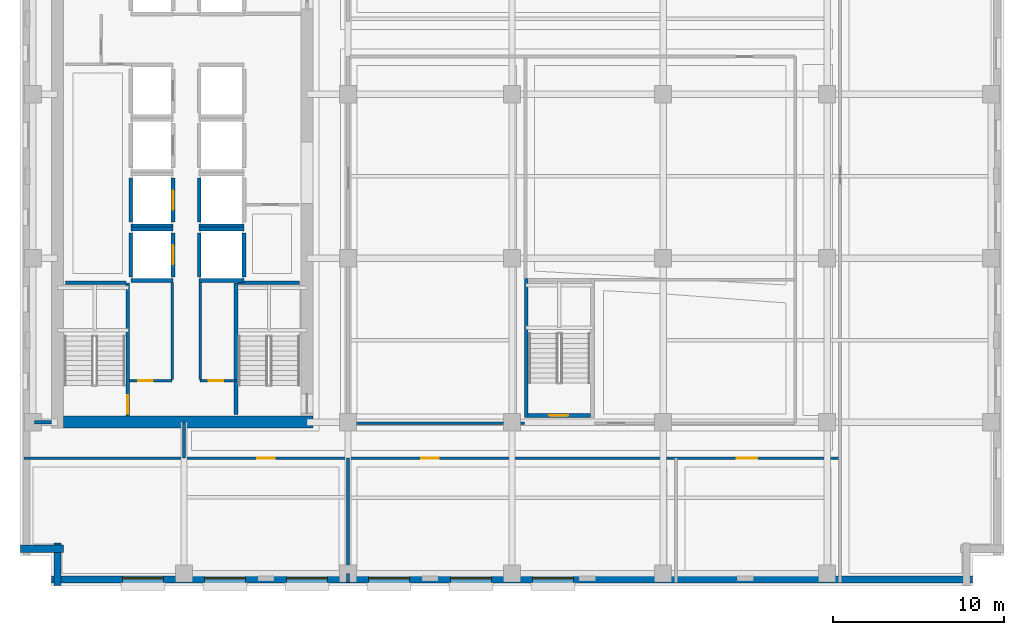
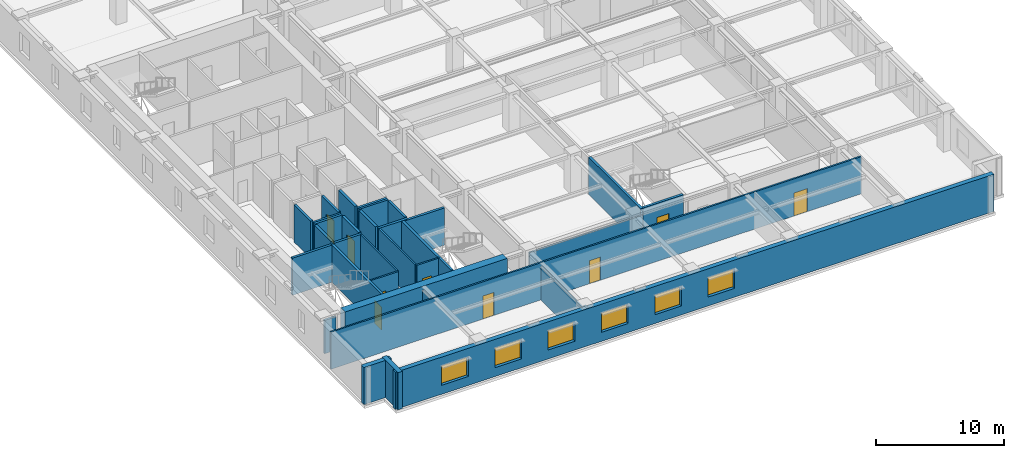
# One storey, part 3 of 12: 33 walls, 9 doors, 6 windows, 15 openings.
"""IFC4 building model written with IfcOpenShell, lengths in metres."""

from ifc_helpers import new_model, si_unit, direction, frame, frame_2d, origin, place, context, subcontext, project, spatial, rectangle, extrude, material, layer, layer_set, type_object, element, fill, save


model = new_model("IFC4")

# Units and contexts
model_context = context("Model", 3, precision=1e-05, world=origin(), true_north=direction((0.0, 1.0)))
body_context = subcontext(model_context, "Body", "Model", "MODEL_VIEW")
ifc_project = project(units=[si_unit("LENGTHUNIT", "METRE"), si_unit("AREAUNIT", "SQUARE_METRE"), si_unit("VOLUMEUNIT", "CUBIC_METRE"), si_unit("PLANEANGLEUNIT", "RADIAN"), si_unit("MASSUNIT", "GRAM", prefix="KILO")], contexts=[model_context])

# Site, building, storey
site_placement = place(None, origin())
site = spatial("IfcSite", under=ifc_project, at=site_placement, CompositionType="ELEMENT")
building_placement = place(site_placement, origin())
building = spatial("IfcBuilding", under=site, at=building_placement, Name="Norrvale University Quadrangle", CompositionType="ELEMENT")
storey_placement = place(building_placement, frame((0.0, 0.0, 105.199951171875)))
storey = spatial("IfcBuildingStorey", under=building, at=storey_placement, Name="L26", CompositionType="ELEMENT", Elevation=105.199951171875)

# Wall, openings, windows
ifc_material_1 = material(Name="Buff Norman Clay Brick Masonry", Category="masonry")
ifc_layer_1 = layer(ifc_material_1, 0.419921875, Name="Buff Norman Clay Brick Masonry")
ifc_layer_set_1 = layer_set([ifc_layer_1], Name="Buff Norman Clay Brick Masonry")
wall_type_1 = type_object("IfcWallType", Name="Wall Buff Brick 420", PredefinedType="SOLIDWALL", material=ifc_layer_set_1)
wall_1_placement = place(storey_placement, frame((1.840087890625, 0.389892578125, 0.0), z_axis=(0.0, 0.0, 1.0), x_axis=(1.0, 0.0, 0.0)))
wall_1 = element("IfcWall", 1, at=wall_1_placement, inside=storey, type_object=wall_type_1, Name="Exterior Brick Facade Wall L26-01.1", PredefinedType="SOLIDWALL", context=body_context, shape_type="SweptSolid", body=[
    extrude(rectangle(XDim=53.919921875, YDim=0.419921875, at=frame_2d((26.9599609375, 0.0))), origin(), (0.0, 0.0, 1.0), 3.5400390625),
])
opening_1_placement = place(wall_1_placement, frame((4.159912109375, 0.0, 0.85009765625)))
opening_1 = element("IfcOpeningElement", 2, at=opening_1_placement, cuts=wall_1, Name="Opening W02", PredefinedType="OPENING", context=body_context, shape_type="SweptSolid", body=[
    extrude(rectangle(XDim=2.39990234375, YDim=1.85009765625, at=frame_2d((1.199951171875, 0.925048828125))), frame((0.0, 0.221923828125, 0.0), z_axis=(0.0, -1.0, 0.0), x_axis=(1.0, 0.0, 0.0)), (0.0, 0.0, 1.0), 0.44384765625),
])
opening_2_placement = place(wall_1_placement, frame((8.9599609375, 0.0, 0.85009765625)))
opening_2 = element("IfcOpeningElement", 3, at=opening_2_placement, cuts=wall_1, Name="Opening W02", PredefinedType="OPENING", context=body_context, shape_type="SweptSolid", body=[
    extrude(rectangle(XDim=2.39990234375, YDim=1.85009765625, at=frame_2d((1.199951171875, 0.925048828125))), frame((0.0, 0.221923828125, 0.0), z_axis=(0.0, -1.0, 0.0), x_axis=(1.0, 0.0, 0.0)), (0.0, 0.0, 1.0), 0.44384765625),
])
opening_3_placement = place(wall_1_placement, frame((13.760009765625, 0.0, 0.85009765625)))
opening_3 = element("IfcOpeningElement", 4, at=opening_3_placement, cuts=wall_1, Name="Opening W02", PredefinedType="OPENING", context=body_context, shape_type="SweptSolid", body=[
    extrude(rectangle(XDim=2.39990234375, YDim=1.85009765625, at=frame_2d((1.199951171875, 0.925048828125))), frame((0.0, 0.221923828125, 0.0), z_axis=(0.0, -1.0, 0.0), x_axis=(1.0, 0.0, 0.0)), (0.0, 0.0, 1.0), 0.44384765625),
])
opening_4_placement = place(wall_1_placement, frame((18.56005859375, 0.0, 0.85009765625)))
opening_4 = element("IfcOpeningElement", 5, at=opening_4_placement, cuts=wall_1, Name="Opening W02", PredefinedType="OPENING", context=body_context, shape_type="SweptSolid", body=[
    extrude(rectangle(XDim=2.39990234375, YDim=1.85009765625, at=frame_2d((1.199951171875, 0.925048828125))), frame((0.0, 0.221923828125, 0.0), z_axis=(0.0, -1.0, 0.0), x_axis=(1.0, 0.0, 0.0)), (0.0, 0.0, 1.0), 0.44384765625),
])
opening_5_placement = place(wall_1_placement, frame((23.360107421875, 0.0, 0.85009765625)))
opening_5 = element("IfcOpeningElement", 6, at=opening_5_placement, cuts=wall_1, Name="Opening W02", PredefinedType="OPENING", context=body_context, shape_type="SweptSolid", body=[
    extrude(rectangle(XDim=2.39990234375, YDim=1.85009765625, at=frame_2d((1.199951171875, 0.925048828125))), frame((0.0, 0.221923828125, 0.0), z_axis=(0.0, -1.0, 0.0), x_axis=(1.0, 0.0, 0.0)), (0.0, 0.0, 1.0), 0.44384765625),
])
opening_6_placement = place(wall_1_placement, frame((28.159912109375, 0.0, 0.85009765625)))
opening_6 = element("IfcOpeningElement", 7, at=opening_6_placement, cuts=wall_1, Name="Opening W02", PredefinedType="OPENING", context=body_context, shape_type="SweptSolid", body=[
    extrude(rectangle(XDim=2.39990234375, YDim=1.85009765625, at=frame_2d((1.199951171875, 0.925048828125))), frame((0.0, 0.221923828125, 0.0), z_axis=(0.0, -1.0, 0.0), x_axis=(1.0, 0.0, 0.0)), (0.0, 0.0, 1.0), 0.44384765625),
])
ifc_material_2 = material(Name="Triple Low-E Argon Glazing", Category="glass")
window_type = type_object("IfcWindowType", Name="Window Academic 2400x2300", PartitioningType="TRIPLE_PANEL_VERTICAL", PredefinedType="WINDOW", material=ifc_material_2)
window_1_placement = place(opening_1_placement, origin())
window_1 = element("IfcWindow", 8, at=window_1_placement, inside=storey, type_object=window_type, Name="Window Academic 2400x2300 WIN-L26-E01-1-01", OverallHeight=1.85009765625, OverallWidth=2.39990234375, PartitioningType="TRIPLE_PANEL_VERTICAL", PredefinedType="WINDOW", context=body_context, shape_type="SweptSolid", body=[
    extrude(rectangle(XDim=2.39990234375, YDim=1.85009765625, at=frame_2d((1.199951171875, 0.925048828125))), frame((0.0, 0.110107421875, 0.0), z_axis=(0.0, -1.0, 0.0), x_axis=(1.0, 0.0, 0.0)), (0.0, 0.0, 1.0), 0.06005859375),
])
fill(opening_1, window_1)
window_2_placement = place(opening_2_placement, origin())
window_2 = element("IfcWindow", 9, at=window_2_placement, inside=storey, type_object=window_type, Name="Window Academic 2400x2300 WIN-L26-E01-1-02", OverallHeight=1.85009765625, OverallWidth=2.39990234375, PartitioningType="TRIPLE_PANEL_VERTICAL", PredefinedType="WINDOW", context=body_context, shape_type="SweptSolid", body=[
    extrude(rectangle(XDim=2.39990234375, YDim=1.85009765625, at=frame_2d((1.199951171875, 0.925048828125))), frame((0.0, 0.110107421875, 0.0), z_axis=(0.0, -1.0, 0.0), x_axis=(1.0, 0.0, 0.0)), (0.0, 0.0, 1.0), 0.06005859375),
])
fill(opening_2, window_2)
window_3_placement = place(opening_3_placement, origin())
window_3 = element("IfcWindow", 10, at=window_3_placement, inside=storey, type_object=window_type, Name="Window Academic 2400x2300 WIN-L26-E01-1-03", OverallHeight=1.85009765625, OverallWidth=2.39990234375, PartitioningType="TRIPLE_PANEL_VERTICAL", PredefinedType="WINDOW", context=body_context, shape_type="SweptSolid", body=[
    extrude(rectangle(XDim=2.39990234375, YDim=1.85009765625, at=frame_2d((1.199951171875, 0.925048828125))), frame((0.0, 0.110107421875, 0.0), z_axis=(0.0, -1.0, 0.0), x_axis=(1.0, 0.0, 0.0)), (0.0, 0.0, 1.0), 0.06005859375),
])
fill(opening_3, window_3)
window_4_placement = place(opening_4_placement, origin())
window_4 = element("IfcWindow", 11, at=window_4_placement, inside=storey, type_object=window_type, Name="Window Academic 2400x2300 WIN-L26-E01-1-04", OverallHeight=1.85009765625, OverallWidth=2.39990234375, PartitioningType="TRIPLE_PANEL_VERTICAL", PredefinedType="WINDOW", context=body_context, shape_type="SweptSolid", body=[
    extrude(rectangle(XDim=2.39990234375, YDim=1.85009765625, at=frame_2d((1.199951171875, 0.925048828125))), frame((0.0, 0.110107421875, 0.0), z_axis=(0.0, -1.0, 0.0), x_axis=(1.0, 0.0, 0.0)), (0.0, 0.0, 1.0), 0.06005859375),
])
fill(opening_4, window_4)
window_5_placement = place(opening_5_placement, origin())
window_5 = element("IfcWindow", 12, at=window_5_placement, inside=storey, type_object=window_type, Name="Window Academic 2400x2300 WIN-L26-E01-1-05", OverallHeight=1.85009765625, OverallWidth=2.39990234375, PartitioningType="TRIPLE_PANEL_VERTICAL", PredefinedType="WINDOW", context=body_context, shape_type="SweptSolid", body=[
    extrude(rectangle(XDim=2.39990234375, YDim=1.85009765625, at=frame_2d((1.199951171875, 0.925048828125))), frame((0.0, 0.110107421875, 0.0), z_axis=(0.0, -1.0, 0.0), x_axis=(1.0, 0.0, 0.0)), (0.0, 0.0, 1.0), 0.06005859375),
])
fill(opening_5, window_5)
window_6_placement = place(opening_6_placement, origin())
window_6 = element("IfcWindow", 13, at=window_6_placement, inside=storey, type_object=window_type, Name="Window Academic 2400x2300 WIN-L26-E01-1-06", OverallHeight=1.85009765625, OverallWidth=2.39990234375, PartitioningType="TRIPLE_PANEL_VERTICAL", PredefinedType="WINDOW", context=body_context, shape_type="SweptSolid", body=[
    extrude(rectangle(XDim=2.39990234375, YDim=1.85009765625, at=frame_2d((1.199951171875, 0.925048828125))), frame((0.0, 0.110107421875, 0.0), z_axis=(0.0, -1.0, 0.0), x_axis=(1.0, 0.0, 0.0)), (0.0, 0.0, 1.0), 0.06005859375),
])
fill(opening_6, window_6)

# Walls
for number, where, z_axis, x_axis, name in (
    (14, (0.0400390625, 2.18994140625, 0.0), (0.0, 0.0, 1.0), (1.0, 0.0, 0.0), "Exterior Brick Facade Wall L26-15.1"),
    (15, (2.18994140625, 2.5400390625, 0.0), (0.0, 0.0, 1.0), (0.0, -1.0, 0.0), "Exterior Brick Facade Wall L26-16.1"),
):
    element("IfcWall", number, at=place(storey_placement, frame(where, z_axis=z_axis, x_axis=x_axis)), inside=storey, type_object=wall_type_1, Name=name, PredefinedType="SOLIDWALL", context=body_context, shape_type="SweptSolid", body=[
        extrude(rectangle(XDim=2.5, YDim=0.419921875, at=frame_2d((1.25, 0.0))), origin(), (0.0, 0.0, 1.0), 3.5400390625),
    ])
ifc_material_3 = material(Name="Concrete C60/75", Category="concrete")
ifc_layer_2 = layer(ifc_material_3, 0.699951171875, Name="Concrete C60/75")
ifc_layer_set_2 = layer_set([ifc_layer_2], Name="Concrete C60/75")
wall_type_2 = type_object("IfcWallType", Name="Wall Core 700", PredefinedType="SHEAR", material=ifc_layer_set_2)
wall_2_placement = place(storey_placement, frame((2.550048828125, 9.60009765625, 0.0), z_axis=(0.0, 0.0, 1.0), x_axis=(1.0, 0.0, 0.0)))
element("IfcWall", 16, at=wall_2_placement, inside=storey, type_object=wall_type_2, Name="Tower Core Shear Wall L26-S", PredefinedType="SHEAR", context=body_context, shape_type="SweptSolid", body=[
    extrude(rectangle(XDim=14.599853515625, YDim=0.699951171875, at=frame_2d((7.2998046875, 0.0))), origin(), (0.0, 0.0, 1.0), 3.5400390625),
])

# Wall, opening, door
ifc_material_4 = material(Name="Fire-Rated Gypsum Stud Partition")
ifc_layer_3 = layer(ifc_material_4, 0.14990234375, Name="Fire-Rated Gypsum Stud Partition")
ifc_layer_set_3 = layer_set([ifc_layer_3], Name="Fire-Rated Gypsum Stud Partition")
wall_type_3 = type_object("IfcWallType", Name="Wall Gypsum Corridor 150", PredefinedType="PARTITIONING", material=ifc_layer_set_3)
wall_3_placement = place(storey_placement, frame((6.419921875, 12.02001953125, 0.0), z_axis=(0.0, 0.0, 1.0), x_axis=(1.0, 0.0, 0.0)))
wall_3 = element("IfcWall", 17, at=wall_3_placement, inside=storey, type_object=wall_type_3, Name="Interior Partition WL-L26-SC-NL", PredefinedType="PARTITIONING", context=body_context, shape_type="SweptSolid", body=[
    extrude(rectangle(XDim=2.47998046875, YDim=0.14990234375, at=frame_2d((1.239990234375, 0.0))), origin(), (0.0, 0.0, 1.0), 3.5400390625),
])
opening_7_placement = place(wall_3_placement, frame((0.5, 0.0, 0.0)))
opening_7 = element("IfcOpeningElement", 18, at=opening_7_placement, cuts=wall_3, Name="Opening D10", PredefinedType="OPENING", context=body_context, shape_type="SweptSolid", body=[
    extrude(rectangle(XDim=0.85009765625, YDim=2.10009765625, at=frame_2d((0.425048828125, 1.050048828125))), frame((0.0, 0.0869140625, 0.0), z_axis=(0.0, -1.0, 0.0), x_axis=(1.0, 0.0, 0.0)), (0.0, 0.0, 1.0), 0.173828125),
])
ifc_material_5 = material(Name="Hollow Steel 350W Riser Fire Door", Category="steel")
door_type_1 = type_object("IfcDoorType", Name="Door Riser 850x2100", OperationType="NOTDEFINED", PredefinedType="DOOR", material=ifc_material_5)
door_1_placement = place(opening_7_placement, origin())
door_1 = element("IfcDoor", 19, at=door_1_placement, inside=storey, type_object=door_type_1, Name="Door Riser 850x2100 DR-L26-ELEC", OperationType="SINGLE_SWING_LEFT", OverallHeight=2.10009765625, OverallWidth=0.85009765625, PredefinedType="DOOR", context=body_context, shape_type="SweptSolid", body=[
    extrude(rectangle(XDim=0.85009765625, YDim=2.10009765625, at=frame_2d((0.425048828125, 1.050048828125))), frame((0.0, 0.02490234375, 0.0), z_axis=(0.0, -1.0, 0.0), x_axis=(1.0, 0.0, 0.0)), (0.0, 0.0, 1.0), 0.050048828125),
])
fill(opening_7, door_1)

wall_4_placement = place(storey_placement, frame((10.550048828125, 12.02001953125, 0.0), z_axis=(0.0, 0.0, 1.0), x_axis=(1.0, 0.0, 0.0)))
wall_4 = element("IfcWall", 20, at=wall_4_placement, inside=storey, type_object=wall_type_3, Name="Interior Partition WL-L26-SC-NR", PredefinedType="PARTITIONING", context=body_context, shape_type="SweptSolid", body=[
    extrude(rectangle(XDim=2.079833984375, YDim=0.14990234375, at=frame_2d((1.0400390625, 0.0))), origin(), (0.0, 0.0, 1.0), 3.5400390625),
])
opening_8_placement = place(wall_4_placement, frame((0.5, 0.0, 0.0)))
opening_8 = element("IfcOpeningElement", 21, at=opening_8_placement, cuts=wall_4, Name="Opening D10", PredefinedType="OPENING", context=body_context, shape_type="SweptSolid", body=[
    extrude(rectangle(XDim=0.85009765625, YDim=2.10009765625, at=frame_2d((0.425048828125, 1.050048828125))), frame((0.0, 0.0869140625, 0.0), z_axis=(0.0, -1.0, 0.0), x_axis=(1.0, 0.0, 0.0)), (0.0, 0.0, 1.0), 0.173828125),
])
door_2_placement = place(opening_8_placement, origin())
door_2 = element("IfcDoor", 22, at=door_2_placement, inside=storey, type_object=door_type_1, Name="Door Riser 850x2100 DR-L26-IDF", OperationType="SINGLE_SWING_RIGHT", OverallHeight=2.10009765625, OverallWidth=0.85009765625, PredefinedType="DOOR", context=body_context, shape_type="SweptSolid", body=[
    extrude(rectangle(XDim=0.85009765625, YDim=2.10009765625, at=frame_2d((0.425048828125, 1.050048828125))), frame((0.0, 0.02490234375, 0.0), z_axis=(0.0, -1.0, 0.0), x_axis=(1.0, 0.0, 0.0)), (0.0, 0.0, 1.0), 0.050048828125),
])
fill(opening_8, door_2)

# Walls
for number, where, z_axis, x_axis, name in (
    (23, (8.89990234375, 12.094970703125, 0.0), (0.0, 0.0, 1.0), (0.0, 1.0, 0.0), "Interior Partition WL-L26-SC-WL"),
    (24, (10.550048828125, 12.094970703125, 0.0), (0.0, 0.0, 1.0), (0.0, 1.0, 0.0), "Interior Partition WL-L26-SC-WR"),
):
    element("IfcWall", number, at=place(storey_placement, frame(where, z_axis=z_axis, x_axis=x_axis)), inside=storey, type_object=wall_type_3, Name=name, PredefinedType="PARTITIONING", context=body_context, shape_type="SweptSolid", body=[
        extrude(rectangle(XDim=5.679931640625, YDim=0.14990234375, at=frame_2d((2.83984375, 0.0))), origin(), (0.0, 0.0, 1.0), 3.5400390625),
    ])
wall_5_placement = place(storey_placement, frame((9.60009765625, 7.5, 0.0), z_axis=(0.0, 0.0, 1.0), x_axis=(0.0, 1.0, 0.0)))
element("IfcWall", 25, at=wall_5_placement, inside=storey, type_object=wall_type_3, Name="Interior Partition WL-L26-CSW-END", PredefinedType="PARTITIONING", context=body_context, shape_type="SweptSolid", body=[
    extrude(rectangle(XDim=2.10009765625, YDim=0.14990234375, at=frame_2d((1.050048828125, 0.0))), origin(), (0.0, 0.0, 1.0), 3.18408203125),
])

# Wall, openings, doors
wall_6_placement = place(storey_placement, frame((0.219970703125, 7.5, 0.0), z_axis=(0.0, 0.0, 1.0), x_axis=(1.0, 0.0, 0.0)))
wall_6 = element("IfcWall", 26, at=wall_6_placement, inside=storey, type_object=wall_type_3, Name="Interior Partition WL-L26-SCW", PredefinedType="PARTITIONING", context=body_context, shape_type="SweptSolid", body=[
    extrude(rectangle(XDim=47.780029296875, YDim=0.14990234375, at=frame_2d((23.89013671875, 0.0))), origin(), (0.0, 0.0, 1.0), 3.5400390625),
])
opening_9_placement = place(wall_6_placement, frame((13.679931640625, 0.0, 0.0)))
opening_9 = element("IfcOpeningElement", 27, at=opening_9_placement, cuts=wall_6, Name="Opening D04", PredefinedType="OPENING", context=body_context, shape_type="SweptSolid", body=[
    extrude(rectangle(XDim=1.0, YDim=2.199951171875, at=frame_2d((0.5, 1.10009765625))), frame((0.0, 0.0869140625, 0.0), z_axis=(0.0, -1.0, 0.0), x_axis=(1.0, 0.0, 0.0)), (0.0, 0.0, 1.0), 0.173828125),
])
opening_10_placement = place(wall_6_placement, frame((23.280029296875, 0.0, 0.0)))
opening_10 = element("IfcOpeningElement", 28, at=opening_10_placement, cuts=wall_6, Name="Opening D04", PredefinedType="OPENING", context=body_context, shape_type="SweptSolid", body=[
    extrude(rectangle(XDim=1.0, YDim=2.199951171875, at=frame_2d((0.5, 1.10009765625))), frame((0.0, 0.0869140625, 0.0), z_axis=(0.0, -1.0, 0.0), x_axis=(1.0, 0.0, 0.0)), (0.0, 0.0, 1.0), 0.173828125),
])
opening_11_placement = place(wall_6_placement, frame((41.72998046875, 0.0, 0.0)))
opening_11 = element("IfcOpeningElement", 29, at=opening_11_placement, cuts=wall_6, Name="Opening D05", PredefinedType="OPENING", context=body_context, shape_type="SweptSolid", body=[
    extrude(rectangle(XDim=1.199951171875, YDim=2.199951171875, at=frame_2d((0.60009765625, 1.10009765625))), frame((0.0, 0.0869140625, 0.0), z_axis=(0.0, -1.0, 0.0), x_axis=(1.0, 0.0, 0.0)), (0.0, 0.0, 1.0), 0.173828125),
])
ifc_material_6 = material(Name="Acoustic Oak Classroom Door", Category="wood")
door_type_2 = type_object("IfcDoorType", Name="Door Classroom 1200x2200", OperationType="NOTDEFINED", PredefinedType="DOOR", material=ifc_material_6)
door_3_placement = place(opening_11_placement, origin())
door_3 = element("IfcDoor", 30, at=door_3_placement, inside=storey, type_object=door_type_2, Name="Door Classroom 1200x2200 DR-L26-S03", OperationType="SINGLE_SWING_LEFT", OverallHeight=2.199951171875, OverallWidth=1.199951171875, PredefinedType="DOOR", context=body_context, shape_type="SweptSolid", body=[
    extrude(rectangle(XDim=1.199951171875, YDim=2.199951171875, at=frame_2d((0.60009765625, 1.10009765625))), frame((0.0, 0.02490234375, 0.0), z_axis=(0.0, -1.0, 0.0), x_axis=(1.0, 0.0, 0.0)), (0.0, 0.0, 1.0), 0.050048828125),
])
fill(opening_11, door_3)
ifc_material_7 = material(Name="Solid-Core Oak Fire Door", Category="wood")
door_type_3 = type_object("IfcDoorType", Name="Door Corridor 1000x2200", OperationType="NOTDEFINED", PredefinedType="DOOR", material=ifc_material_7)
door_4_placement = place(opening_9_placement, origin())
door_4 = element("IfcDoor", 31, at=door_4_placement, inside=storey, type_object=door_type_3, Name="Door Corridor 1000x2200 DR-L26-S01", OperationType="SINGLE_SWING_LEFT", OverallHeight=2.199951171875, OverallWidth=1.0, PredefinedType="DOOR", context=body_context, shape_type="SweptSolid", body=[
    extrude(rectangle(XDim=1.0, YDim=2.199951171875, at=frame_2d((0.5, 1.10009765625))), frame((0.0, 0.02490234375, 0.0), z_axis=(0.0, -1.0, 0.0), x_axis=(1.0, 0.0, 0.0)), (0.0, 0.0, 1.0), 0.050048828125),
])
fill(opening_9, door_4)
door_5_placement = place(opening_10_placement, origin())
door_5 = element("IfcDoor", 32, at=door_5_placement, inside=storey, type_object=door_type_3, Name="Door Corridor 1000x2200 DR-L26-S02", OperationType="SINGLE_SWING_RIGHT", OverallHeight=2.199951171875, OverallWidth=1.0, PredefinedType="DOOR", context=body_context, shape_type="SweptSolid", body=[
    extrude(rectangle(XDim=1.0, YDim=2.199951171875, at=frame_2d((0.5, 1.10009765625))), frame((0.0, 0.02490234375, 0.0), z_axis=(0.0, -1.0, 0.0), x_axis=(1.0, 0.0, 0.0)), (0.0, 0.0, 1.0), 0.050048828125),
])
fill(opening_10, door_5)

# Walls
wall_7_placement = place(storey_placement, frame((19.280029296875, 9.550048828125, 0.0), z_axis=(0.0, 0.0, 1.0), x_axis=(1.0, 0.0, 0.0)))
element("IfcWall", 33, at=wall_7_placement, inside=storey, type_object=wall_type_3, Name="Interior Partition WL-L26-ISLS1", PredefinedType="PARTITIONING", context=body_context, shape_type="SweptSolid", body=[
    extrude(rectangle(XDim=10.244873046875, YDim=0.14990234375, at=frame_2d((5.12255859375, 0.0))), origin(), (0.0, 0.0, 1.0), 3.18408203125),
])
ifc_material_8 = material(Name="Sanitary Chase Gypsum Partition")
ifc_layer_4 = layer(ifc_material_8, 0.1650390625, Name="Sanitary Chase Gypsum Partition")
ifc_layer_set_4 = layer_set([ifc_layer_4], Name="Sanitary Chase Gypsum Partition")
wall_type_4 = type_object("IfcWallType", Name="Wall Gypsum Sanitary 165", PredefinedType="PLUMBINGWALL", material=ifc_layer_set_4)
wall_8_placement = place(storey_placement, frame((19.199951171875, 0.219970703125, 0.0), z_axis=(0.0, 0.0, 1.0), x_axis=(0.0, 1.0, 0.0)))
element("IfcWall", 34, at=wall_8_placement, inside=storey, type_object=wall_type_4, Name="Interior Partition WL-L26-SP01", PredefinedType="PLUMBINGWALL", context=body_context, shape_type="SweptSolid", body=[
    extrude(rectangle(XDim=0.530029296875, YDim=0.1650390625, at=frame_2d((0.26513671875, 0.0))), origin(), (0.0, 0.0, 1.0), 3.5400390625),
])
wall_9_placement = place(storey_placement, frame((19.199951171875, 0.75, 0.0), z_axis=(0.0, 0.0, 1.0), x_axis=(0.0, 1.0, 0.0)))
element("IfcWall", 35, at=wall_9_placement, inside=storey, type_object=wall_type_4, Name="Interior Partition WL-L26-SP01-B2", PredefinedType="PLUMBINGWALL", context=body_context, shape_type="SweptSolid", body=[
    extrude(rectangle(XDim=6.75, YDim=0.1650390625, at=frame_2d((3.375, 0.0))), origin(), (0.0, 0.0, 1.0), 3.18408203125),
])
ifc_material_9 = material(Name="Concrete Blockwork 20 MPa Rated Wall", Category="masonry")
ifc_layer_5 = layer(ifc_material_9, 0.199951171875, Name="Concrete Blockwork 20 MPa Rated Wall")
ifc_layer_set_5 = layer_set([ifc_layer_5], Name="Concrete Blockwork 20 MPa Rated Wall")
wall_type_5 = type_object("IfcWallType", Name="Wall Lobby 200", PredefinedType="SOLIDWALL", material=ifc_layer_set_5)
wall_10_placement = place(storey_placement, frame((0.85009765625, 9.60009765625, 0.0), z_axis=(0.0, 0.0, 1.0), x_axis=(1.0, 0.0, 0.0)))
element("IfcWall", 36, at=wall_10_placement, inside=storey, type_object=wall_type_5, Name="Interior Partition WL-L26-CWRET-S", PredefinedType="SOLIDWALL", context=body_context, shape_type="SweptSolid", body=[
    extrude(rectangle(XDim=0.994873046875, YDim=0.199951171875, at=frame_2d((0.49755859375, 0.0))), origin(), (0.0, 0.0, 1.0), 3.18408203125),
])

# Wall, opening, door
ifc_material_10 = material(Name="Concrete Blockwork 20 MPa Fire Shaft", Category="masonry")
ifc_layer_6 = layer(ifc_material_10, 0.219970703125, Name="Concrete Blockwork 20 MPa Fire Shaft")
ifc_layer_set_6 = layer_set([ifc_layer_6], Name="Concrete Blockwork 20 MPa Fire Shaft")
wall_type_6 = type_object("IfcWallType", Name="Wall Shaft 220", PredefinedType="SOLIDWALL", material=ifc_layer_set_6)
wall_11_placement = place(storey_placement, frame((6.31005859375, 9.949951171875, 0.0), z_axis=(0.0, 0.0, 1.0), x_axis=(0.0, 1.0, 0.0)))
wall_11 = element("IfcWall", 37, at=wall_11_placement, inside=storey, type_object=wall_type_6, Name="Stair ST-01 East Shaft Wall L26", PredefinedType="SOLIDWALL", context=body_context, shape_type="SweptSolid", body=[
    extrude(rectangle(XDim=7.81005859375, YDim=0.219970703125, at=frame_2d((3.905029296875, 0.0))), origin(), (0.0, 0.0, 1.0), 3.5400390625),
])
opening_12_placement = place(wall_11_placement, frame((0.139892578125, 0.0, 0.0)))
opening_12 = element("IfcOpeningElement", 38, at=opening_12_placement, cuts=wall_11, Name="Opening D02", PredefinedType="OPENING", context=body_context, shape_type="SweptSolid", body=[
    extrude(rectangle(XDim=1.10009765625, YDim=2.199951171875, at=frame_2d((0.550048828125, 1.10009765625))), frame((0.0, 0.1220703125, 0.0), z_axis=(0.0, -1.0, 0.0), x_axis=(1.0, 0.0, 0.0)), (0.0, 0.0, 1.0), 0.243896484375),
])
ifc_material_11 = material(Name="Hollow Steel 350W Fire Door", Category="steel")
door_type_4 = type_object("IfcDoorType", Name="Door Stair Exit 1100x2200", OperationType="NOTDEFINED", PredefinedType="DOOR", material=ifc_material_11)
door_6_placement = place(opening_12_placement, origin())
door_6 = element("IfcDoor", 39, at=door_6_placement, inside=storey, type_object=door_type_4, Name="Door Stair Exit 1100x2200 DR-L26-ST01", OperationType="SINGLE_SWING_LEFT", OverallHeight=2.199951171875, OverallWidth=1.10009765625, PredefinedType="DOOR", context=body_context, shape_type="SweptSolid", body=[
    extrude(rectangle(XDim=1.10009765625, YDim=2.199951171875, at=frame_2d((0.550048828125, 1.10009765625))), frame((0.0, 0.02490234375, 0.0), z_axis=(0.0, -1.0, 0.0), x_axis=(1.0, 0.0, 0.0)), (0.0, 0.0, 1.0), 0.050048828125),
])
fill(opening_12, door_6)

# Walls
wall_12_placement = place(storey_placement, frame((2.64990234375, 17.760009765625, 0.0), z_axis=(0.0, 0.0, 1.0), x_axis=(1.0, 0.0, 0.0)))
element("IfcWall", 40, at=wall_12_placement, inside=storey, type_object=wall_type_6, Name="Stair ST-01 North Shaft Wall L26", PredefinedType="SOLIDWALL", context=body_context, shape_type="SweptSolid", body=[
    extrude(rectangle(XDim=3.550048828125, YDim=0.219970703125, at=frame_2d((1.77490234375, 0.0))), origin(), (0.0, 0.0, 1.0), 3.5400390625),
])
wall_13_placement = place(storey_placement, frame((12.639892578125, 10.050048828125, 0.0), z_axis=(0.0, 0.0, 1.0), x_axis=(0.0, 1.0, 0.0)))
element("IfcWall", 41, at=wall_13_placement, inside=storey, type_object=wall_type_6, Name="Stair ST-03 West Shaft Wall L26", PredefinedType="SOLIDWALL", context=body_context, shape_type="SweptSolid", body=[
    extrude(rectangle(XDim=7.7099609375, YDim=0.219970703125, at=frame_2d((3.85498046875, 0.0))), origin(), (0.0, 0.0, 1.0), 3.5400390625),
])
wall_14_placement = place(storey_placement, frame((12.75, 17.760009765625, 0.0), z_axis=(0.0, 0.0, 1.0), x_axis=(1.0, 0.0, 0.0)))
element("IfcWall", 42, at=wall_14_placement, inside=storey, type_object=wall_type_6, Name="Stair ST-03 North Shaft Wall L26", PredefinedType="SOLIDWALL", context=body_context, shape_type="SweptSolid", body=[
    extrude(rectangle(XDim=3.60009765625, YDim=0.219970703125, at=frame_2d((1.800048828125, 0.0))), origin(), (0.0, 0.0, 1.0), 3.5400390625),
])

# Wall, opening, door
wall_15_placement = place(storey_placement, frame((29.75, 9.989990234375, 0.0), z_axis=(0.0, 0.0, 1.0), x_axis=(1.0, 0.0, 0.0)))
wall_15 = element("IfcWall", 43, at=wall_15_placement, inside=storey, type_object=wall_type_6, Name="Stair ST-04 South Shaft Wall L26", PredefinedType="SOLIDWALL", context=body_context, shape_type="SweptSolid", body=[
    extrude(rectangle(XDim=3.64990234375, YDim=0.219970703125, at=frame_2d((1.824951171875, 0.0))), origin(), (0.0, 0.0, 1.0), 3.5400390625),
])
opening_13_placement = place(wall_15_placement, frame((1.239990234375, 0.0, 0.0)))
opening_13 = element("IfcOpeningElement", 44, at=opening_13_placement, cuts=wall_15, Name="Opening D02", PredefinedType="OPENING", context=body_context, shape_type="SweptSolid", body=[
    extrude(rectangle(XDim=1.10009765625, YDim=2.199951171875, at=frame_2d((0.550048828125, 1.10009765625))), frame((0.0, 0.1220703125, 0.0), z_axis=(0.0, -1.0, 0.0), x_axis=(1.0, 0.0, 0.0)), (0.0, 0.0, 1.0), 0.243896484375),
])
door_7_placement = place(opening_13_placement, origin())
door_7 = element("IfcDoor", 45, at=door_7_placement, inside=storey, type_object=door_type_4, Name="Door Stair Exit 1100x2200 DR-L26-ST04", OperationType="SINGLE_SWING_LEFT", OverallHeight=2.199951171875, OverallWidth=1.10009765625, PredefinedType="DOOR", context=body_context, shape_type="SweptSolid", body=[
    extrude(rectangle(XDim=1.10009765625, YDim=2.199951171875, at=frame_2d((0.550048828125, 1.10009765625))), frame((0.0, 0.02490234375, 0.0), z_axis=(0.0, -1.0, 0.0), x_axis=(1.0, 0.0, 0.0)), (0.0, 0.0, 1.0), 0.050048828125),
])
fill(opening_13, door_7)

# Walls
wall_16_placement = place(storey_placement, frame((29.639892578125, 9.8798828125, 0.0), z_axis=(0.0, 0.0, 1.0), x_axis=(0.0, 1.0, 0.0)))
element("IfcWall", 46, at=wall_16_placement, inside=storey, type_object=wall_type_6, Name="Stair ST-04 West Shaft Wall L26", PredefinedType="SOLIDWALL", context=body_context, shape_type="SweptSolid", body=[
    extrude(rectangle(XDim=8.14013671875, YDim=0.219970703125, at=frame_2d((4.070068359375, 0.0))), origin(), (0.0, 0.0, 1.0), 3.5400390625),
])
wall_17_placement = place(storey_placement, frame((6.489990234375, 18.110107421875, 0.0), z_axis=(0.0, 0.0, 1.0), x_axis=(0.0, 1.0, 0.0)))
element("IfcWall", 47, at=wall_17_placement, inside=storey, type_object=wall_type_6, Name="Hoistway PL-01 West Wall L26", PredefinedType="SOLIDWALL", context=body_context, shape_type="SweptSolid", body=[
    extrude(rectangle(XDim=2.579833984375, YDim=0.219970703125, at=frame_2d((1.2900390625, 0.0))), origin(), (0.0, 0.0, 1.0), 3.5400390625),
])

# Wall, opening, door
wall_18_placement = place(storey_placement, frame((8.9599609375, 18.110107421875, 0.0), z_axis=(0.0, 0.0, 1.0), x_axis=(0.0, 1.0, 0.0)))
wall_18 = element("IfcWall", 48, at=wall_18_placement, inside=storey, type_object=wall_type_6, Name="Hoistway PL-01 East Wall L26", PredefinedType="SOLIDWALL", context=body_context, shape_type="SweptSolid", body=[
    extrude(rectangle(XDim=2.579833984375, YDim=0.219970703125, at=frame_2d((1.2900390625, 0.0))), origin(), (0.0, 0.0, 1.0), 3.5400390625),
])
opening_14_placement = place(wall_18_placement, frame((0.739990234375, 0.0, 0.0)))
opening_14 = element("IfcOpeningElement", 49, at=opening_14_placement, cuts=wall_18, Name="Opening LD1", PredefinedType="OPENING", context=body_context, shape_type="SweptSolid", body=[
    extrude(rectangle(XDim=1.10009765625, YDim=2.199951171875, at=frame_2d((0.550048828125, 1.10009765625))), frame((0.0, 0.1220703125, 0.0), z_axis=(0.0, -1.0, 0.0), x_axis=(1.0, 0.0, 0.0)), (0.0, 0.0, 1.0), 0.243896484375),
])
ifc_material_12 = material(Name="Stainless Steel 316L Lift Landing Door", Category="steel")
door_type_5 = type_object("IfcDoorType", Name="Door Lift Landing 1100x2200", OperationType="DOUBLE_DOOR_SLIDING", PredefinedType="DOOR", material=ifc_material_12)
door_8_placement = place(opening_14_placement, origin())
door_8 = element("IfcDoor", 50, at=door_8_placement, inside=storey, type_object=door_type_5, Name="Elevator Landing Door DR-L26-PL-01", OperationType="DOUBLE_DOOR_SLIDING", OverallHeight=2.199951171875, OverallWidth=1.10009765625, PredefinedType="DOOR", context=body_context, shape_type="SweptSolid", body=[
    extrude(rectangle(XDim=1.10009765625, YDim=2.199951171875, at=frame_2d((0.550048828125, 1.10009765625))), frame((0.0, 0.02490234375, 0.0), z_axis=(0.0, -1.0, 0.0), x_axis=(1.0, 0.0, 0.0)), (0.0, 0.0, 1.0), 0.050048828125),
])
fill(opening_14, door_8)

# Walls
for number, where, z_axis, x_axis, name in (
    (51, (6.489990234375, 17.889892578125, 0.0), (0.0, 0.0, 1.0), (1.0, 0.0, 0.0), "Hoistway PL-01 South Wall L26"),
    (52, (6.489990234375, 20.909912109375, 0.0), (0.0, 0.0, 1.0), (1.0, 0.0, 0.0), "Hoistway PL-01 North Wall L26"),
):
    element("IfcWall", number, at=place(storey_placement, frame(where, z_axis=z_axis, x_axis=x_axis)), inside=storey, type_object=wall_type_6, Name=name, PredefinedType="SOLIDWALL", context=body_context, shape_type="SweptSolid", body=[
        extrude(rectangle(XDim=2.469970703125, YDim=0.219970703125, at=frame_2d((1.23486328125, 0.0))), origin(), (0.0, 0.0, 1.0), 3.5400390625),
    ])
wall_19_placement = place(storey_placement, frame((6.489990234375, 21.31005859375, 0.0), z_axis=(0.0, 0.0, 1.0), x_axis=(0.0, 1.0, 0.0)))
element("IfcWall", 53, at=wall_19_placement, inside=storey, type_object=wall_type_6, Name="Hoistway PL-02 West Wall L26", PredefinedType="SOLIDWALL", context=body_context, shape_type="SweptSolid", body=[
    extrude(rectangle(XDim=2.579833984375, YDim=0.219970703125, at=frame_2d((1.2900390625, 0.0))), origin(), (0.0, 0.0, 1.0), 3.5400390625),
])

# Wall, opening, door
wall_20_placement = place(storey_placement, frame((8.9599609375, 21.31005859375, 0.0), z_axis=(0.0, 0.0, 1.0), x_axis=(0.0, 1.0, 0.0)))
wall_20 = element("IfcWall", 54, at=wall_20_placement, inside=storey, type_object=wall_type_6, Name="Hoistway PL-02 East Wall L26", PredefinedType="SOLIDWALL", context=body_context, shape_type="SweptSolid", body=[
    extrude(rectangle(XDim=2.579833984375, YDim=0.219970703125, at=frame_2d((1.2900390625, 0.0))), origin(), (0.0, 0.0, 1.0), 3.5400390625),
])
opening_15_placement = place(wall_20_placement, frame((0.739990234375, 0.0, 0.0)))
opening_15 = element("IfcOpeningElement", 55, at=opening_15_placement, cuts=wall_20, Name="Opening LD1", PredefinedType="OPENING", context=body_context, shape_type="SweptSolid", body=[
    extrude(rectangle(XDim=1.10009765625, YDim=2.199951171875, at=frame_2d((0.550048828125, 1.10009765625))), frame((0.0, 0.1220703125, 0.0), z_axis=(0.0, -1.0, 0.0), x_axis=(1.0, 0.0, 0.0)), (0.0, 0.0, 1.0), 0.243896484375),
])
door_9_placement = place(opening_15_placement, origin())
door_9 = element("IfcDoor", 56, at=door_9_placement, inside=storey, type_object=door_type_5, Name="Elevator Landing Door DR-L26-PL-02", OperationType="DOUBLE_DOOR_SLIDING", OverallHeight=2.199951171875, OverallWidth=1.10009765625, PredefinedType="DOOR", context=body_context, shape_type="SweptSolid", body=[
    extrude(rectangle(XDim=1.10009765625, YDim=2.199951171875, at=frame_2d((0.550048828125, 1.10009765625))), frame((0.0, 0.02490234375, 0.0), z_axis=(0.0, -1.0, 0.0), x_axis=(1.0, 0.0, 0.0)), (0.0, 0.0, 1.0), 0.050048828125),
])
fill(opening_15, door_9)

# Walls
wall_21_placement = place(storey_placement, frame((6.489990234375, 21.090087890625, 0.0), z_axis=(0.0, 0.0, 1.0), x_axis=(1.0, 0.0, 0.0)))
element("IfcWall", 57, at=wall_21_placement, inside=storey, type_object=wall_type_6, Name="Hoistway PL-02 South Wall L26", PredefinedType="SOLIDWALL", context=body_context, shape_type="SweptSolid", body=[
    extrude(rectangle(XDim=2.469970703125, YDim=0.219970703125, at=frame_2d((1.23486328125, 0.0))), origin(), (0.0, 0.0, 1.0), 3.5400390625),
])
for number, where, z_axis, x_axis, name in (
    (58, (10.489990234375, 18.110107421875, 0.0), (0.0, 0.0, 1.0), (0.0, 1.0, 0.0), "Hoistway PL-05 West Wall L26"),
    (59, (13.110107421875, 18.110107421875, 0.0), (0.0, 0.0, 1.0), (0.0, 1.0, 0.0), "Hoistway PL-05 East Wall L26"),
):
    element("IfcWall", number, at=place(storey_placement, frame(where, z_axis=z_axis, x_axis=x_axis)), inside=storey, type_object=wall_type_6, Name=name, PredefinedType="SOLIDWALL", context=body_context, shape_type="SweptSolid", body=[
        extrude(rectangle(XDim=2.579833984375, YDim=0.219970703125, at=frame_2d((1.2900390625, 0.0))), origin(), (0.0, 0.0, 1.0), 3.5400390625),
    ])
for number, where, z_axis, x_axis, name in (
    (60, (10.489990234375, 17.889892578125, 0.0), (0.0, 0.0, 1.0), (1.0, 0.0, 0.0), "Hoistway PL-05 South Wall L26"),
    (61, (10.489990234375, 20.909912109375, 0.0), (0.0, 0.0, 1.0), (1.0, 0.0, 0.0), "Hoistway PL-05 North Wall L26"),
):
    element("IfcWall", number, at=place(storey_placement, frame(where, z_axis=z_axis, x_axis=x_axis)), inside=storey, type_object=wall_type_6, Name=name, PredefinedType="SOLIDWALL", context=body_context, shape_type="SweptSolid", body=[
        extrude(rectangle(XDim=2.6201171875, YDim=0.219970703125, at=frame_2d((1.31005859375, 0.0))), origin(), (0.0, 0.0, 1.0), 3.5400390625),
    ])
wall_22_placement = place(storey_placement, frame((10.489990234375, 21.31005859375, 0.0), z_axis=(0.0, 0.0, 1.0), x_axis=(0.0, 1.0, 0.0)))
element("IfcWall", 62, at=wall_22_placement, inside=storey, type_object=wall_type_6, Name="Hoistway PL-06 West Wall L26", PredefinedType="SOLIDWALL", context=body_context, shape_type="SweptSolid", body=[
    extrude(rectangle(XDim=2.579833984375, YDim=0.219970703125, at=frame_2d((1.2900390625, 0.0))), origin(), (0.0, 0.0, 1.0), 3.5400390625),
])
wall_23_placement = place(storey_placement, frame((10.489990234375, 21.090087890625, 0.0), z_axis=(0.0, 0.0, 1.0), x_axis=(1.0, 0.0, 0.0)))
element("IfcWall", 63, at=wall_23_placement, inside=storey, type_object=wall_type_6, Name="Hoistway PL-06 South Wall L26", PredefinedType="SOLIDWALL", context=body_context, shape_type="SweptSolid", body=[
    extrude(rectangle(XDim=2.6201171875, YDim=0.219970703125, at=frame_2d((1.31005859375, 0.0))), origin(), (0.0, 0.0, 1.0), 3.5400390625),
])

save(model, "model.ifc")
